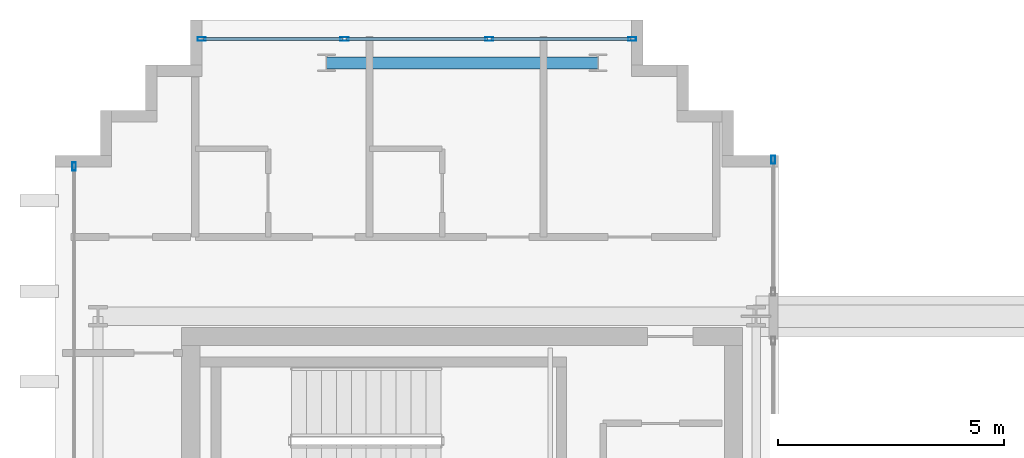
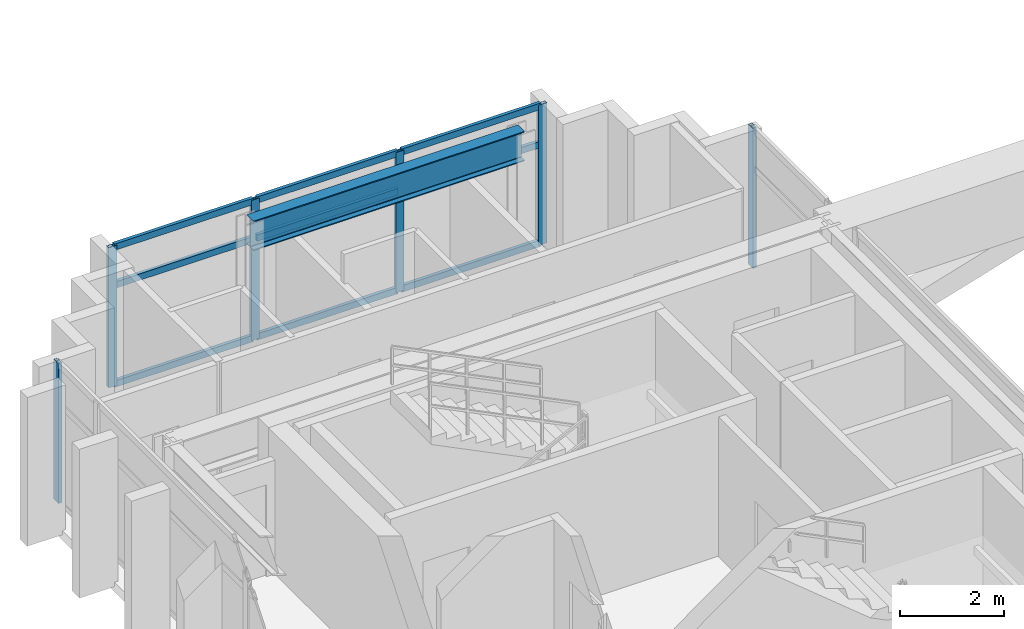
# One storey, part 19 of 28: 15 members, 1 beam, 3 elements without a shape of their own.
"""IFC4 building model written with IfcOpenShell, lengths in metres."""

from ifc_helpers import new_model, si_unit, direction, frame, origin, origin_2d, place, context, subcontext, project, spatial, hollow_rectangle, i_section, extrude, source, transform, mapped, material, layer, layer_set, material_profile, profile_set, type_object, element, aggregate, save


model = new_model("IFC4")

# Units and contexts
model_context = context("Model", 3, precision=1e-05, world=origin(), true_north=direction((0.0, 1.0)))
body_context = subcontext(model_context, "Body", "Model", "MODEL_VIEW")
ifc_project = project(units=[si_unit("LENGTHUNIT", "METRE"), si_unit("AREAUNIT", "SQUARE_METRE"), si_unit("VOLUMEUNIT", "CUBIC_METRE"), si_unit("PLANEANGLEUNIT", "RADIAN"), si_unit("MASSUNIT", "GRAM", prefix="KILO")], contexts=[model_context])

# Site, building, storey
site_placement = place(None, origin())
site = spatial("IfcSite", under=ifc_project, at=site_placement, CompositionType="ELEMENT")
building_placement = place(site_placement, origin())
building = spatial("IfcBuilding", under=site, at=building_placement, Name="Ocotamira Hotel", CompositionType="ELEMENT")
storey_placement = place(building_placement, frame((0.0, 0.0, 268.800048828125)))
storey = spatial("IfcBuildingStorey", under=building, at=storey_placement, Name="L68", CompositionType="ELEMENT", Elevation=268.800048828125)

# Beam
ifc_material_1 = material(Name="Steel ASTM A992 Grade 50", Category="steel")
ifc_material_profile_1 = material_profile(ifc_material_1, i_section(OverallWidth=0.256103515625, OverallDepth=0.693115234375, WebThickness=0.014404296875, FlangeThickness=0.023681640625, FilletRadius=0.01611328125, at=origin_2d()), Name="W27X114")
ifc_profile_set_1 = profile_set([ifc_material_profile_1], Name="Steel ASTM A992 Grade 50")
beam_type = type_object("IfcBeamType", Name="BM-PRIM-W27X114", PredefinedType="BEAM", material=ifc_profile_set_1)
shared_shape_1 = source(origin(), body_context, "Body", "SweptSolid", [
    extrude(i_section(OverallWidth=0.256103515625, OverallDepth=0.693115234375, WebThickness=0.014404296875, FlangeThickness=0.023681640625, FilletRadius=0.01611328125, at=origin_2d()), origin(), (0.0, 0.0, 1.0), 6.0),
])
beam_placement = place(storey_placement, frame((14.0, 43.050048828125, 2.933349609375), z_axis=(1.0, 0.0, 0.0), x_axis=(0.0, 1.0, 0.0)))
element("IfcBeam", 1, at=beam_placement, inside=storey, type_object=beam_type, Name="L68 Girder Y43.05 X14-20", PredefinedType="BEAM", context=body_context, shape_type="MappedRepresentation", body=[
    mapped(shared_shape_1, transform((0.0, 0.0, 0.0), scale=1.0)),
])

# Curtain wall, members
ifc_material_2 = material(Name="Anodised pale-metal aluminium and solar glass", Category="aluminium")
ifc_layer = layer(ifc_material_2, 0.2099609375)
ifc_layer_set = layer_set([ifc_layer], Name="Anodised pale-metal aluminium and solar glass")
curtain_wall_type = type_object("IfcCurtainWallType", Name="CW-SYS7-PEAK", PredefinedType="NOTDEFINED", material=ifc_layer_set)
curtain_wall_1_placement = place(storey_placement, origin())
curtain_wall_1 = element("IfcCurtainWall", 2, at=curtain_wall_1_placement, inside=storey, type_object=curtain_wall_type, Name="L68 Curtain Wall CW-7 CW-L68-WN", PredefinedType="NOTDEFINED")
ifc_material_3 = material(Name="Anodised pale-metal aluminium 6063-T6", Category="aluminium")
ifc_material_profile_2 = material_profile(ifc_material_3, hollow_rectangle(XDim=0.080078125, YDim=0.179931640625, WallThickness=0.006103515625, at=origin_2d()), Name="HSS180X80X6")
ifc_profile_set_2 = profile_set([ifc_material_profile_2], Name="Anodised pale-metal aluminium 6063-T6")
member_type_1 = type_object("IfcMemberType", Name="CWM-180X75", PredefinedType="MULLION", material=ifc_profile_set_2)
shared_shape_2 = source(origin(), body_context, "Body", "SweptSolid", [
    extrude(hollow_rectangle(XDim=0.080078125, YDim=0.179931640625, WallThickness=0.006103515625, at=origin_2d()), origin(), (0.0, 0.0, 1.0), 3.280029296875),
])
member_1_placement = place(storey_placement, frame((11.239990234375, 43.580078125, 0.0), z_axis=(0.0, 0.0, 1.0), x_axis=(0.0, 1.0, 0.0)))
member_1 = element("IfcMember", 3, at=member_1_placement, type_object=member_type_1, Name="CW-7 mullion 1", PredefinedType="MULLION", context=body_context, shape_type="MappedRepresentation", body=[
    mapped(shared_shape_2, transform((0.0, 0.0, 0.0), scale=1.0)),
])
member_2_placement = place(storey_placement, frame((14.39990234375, 43.580078125, 0.0), z_axis=(0.0, 0.0, 1.0), x_axis=(0.0, 1.0, 0.0)))
member_2 = element("IfcMember", 4, at=member_2_placement, type_object=member_type_1, Name="CW-7 mullion 2", PredefinedType="MULLION", context=body_context, shape_type="MappedRepresentation", body=[
    mapped(shared_shape_2, transform((0.0, 0.0, 0.0), scale=1.0)),
])
member_3_placement = place(storey_placement, frame((17.60009765625, 43.580078125, 0.0), z_axis=(0.0, 0.0, 1.0), x_axis=(0.0, 1.0, 0.0)))
member_3 = element("IfcMember", 5, at=member_3_placement, type_object=member_type_1, Name="CW-7 mullion 3", PredefinedType="MULLION", context=body_context, shape_type="MappedRepresentation", body=[
    mapped(shared_shape_2, transform((0.0, 0.0, 0.0), scale=1.0)),
])
member_4_placement = place(storey_placement, frame((20.760009765625, 43.580078125, 0.0), z_axis=(0.0, 0.0, 1.0), x_axis=(0.0, 1.0, 0.0)))
member_4 = element("IfcMember", 6, at=member_4_placement, type_object=member_type_1, Name="CW-7 mullion 4", PredefinedType="MULLION", context=body_context, shape_type="MappedRepresentation", body=[
    mapped(shared_shape_2, transform((0.0, 0.0, 0.0), scale=1.0)),
])

# Curtain wall, member
curtain_wall_2_placement = place(storey_placement, origin())
curtain_wall_2 = element("IfcCurtainWall", 7, at=curtain_wall_2_placement, inside=storey, type_object=curtain_wall_type, Name="L68 Curtain Wall CW-7 CW-L68-WO2", PredefinedType="NOTDEFINED")
member_5_placement = place(storey_placement, frame((8.419921875, 40.760009765625, 0.0), z_axis=(0.0, 0.0, 1.0), x_axis=(-1.0, 0.0, 0.0)))
member_5 = element("IfcMember", 8, at=member_5_placement, type_object=member_type_1, Name="CW-7 mullion 3", PredefinedType="MULLION", context=body_context, shape_type="MappedRepresentation", body=[
    mapped(shared_shape_2, transform((0.0, 0.0, 0.0), scale=1.0)),
])
aggregate(curtain_wall_2, [member_5])

curtain_wall_3_placement = place(storey_placement, origin())
curtain_wall_3 = element("IfcCurtainWall", 9, at=curtain_wall_3_placement, inside=storey, type_object=curtain_wall_type, Name="L68 Curtain Wall CW-7 CW-L68-WI4", PredefinedType="NOTDEFINED")
member_6_placement = place(storey_placement, frame((23.8798828125, 40.909912109375, 0.0), z_axis=(0.0, 0.0, 1.0), x_axis=(-1.0, 0.0, 0.0)))
member_6 = element("IfcMember", 10, at=member_6_placement, type_object=member_type_1, Name="CW-7 mullion 2", PredefinedType="MULLION", context=body_context, shape_type="MappedRepresentation", body=[
    mapped(shared_shape_2, transform((0.0, 0.0, 0.0), scale=1.0)),
])
aggregate(curtain_wall_3, [member_6])

# Member
ifc_material_profile_3 = material_profile(ifc_material_3, hollow_rectangle(XDim=0.074951171875, YDim=0.14990234375, WallThickness=0.006103515625, at=origin_2d()), Name="HSS150X75X6")
ifc_profile_set_3 = profile_set([ifc_material_profile_3], Name="Anodised pale-metal aluminium 6063-T6")
member_type_2 = type_object("IfcMemberType", Name="CWT-150X75", PredefinedType="USERDEFINED", material=ifc_profile_set_3)
shared_shape_3 = source(origin(), body_context, "Body", "SweptSolid", [
    extrude(hollow_rectangle(XDim=0.074951171875, YDim=0.14990234375, WallThickness=0.006103515625, at=origin_2d()), origin(), (0.0, 0.0, 1.0), 3.080078125),
])
member_7_placement = place(storey_placement, frame((11.280029296875, 43.580078125, 0.037353515625), z_axis=(1.0, 0.0, 0.0), x_axis=(0.0, 1.0, 0.0)))
member_7 = element("IfcMember", 11, at=member_7_placement, type_object=member_type_2, Name="CW-7 transom 1.1", ObjectType="TRANSOM", PredefinedType="USERDEFINED", context=body_context, shape_type="MappedRepresentation", body=[
    mapped(shared_shape_3, transform((0.0, 0.0, 0.0), scale=1.0)),
])

member_8_placement = place(storey_placement, frame((11.280029296875, 43.580078125, 2.349853515625), z_axis=(1.0, 0.0, 0.0), x_axis=(0.0, 1.0, 0.0)))
member_8 = element("IfcMember", 12, at=member_8_placement, type_object=member_type_2, Name="CW-7 transom 1.2", ObjectType="TRANSOM", PredefinedType="USERDEFINED", context=body_context, shape_type="MappedRepresentation", body=[
    mapped(shared_shape_3, transform((0.0, 0.0, 0.0), scale=1.0)),
])

member_9_placement = place(storey_placement, frame((11.280029296875, 43.580078125, 3.242431640625), z_axis=(1.0, 0.0, 0.0), x_axis=(0.0, 1.0, 0.0)))
member_9 = element("IfcMember", 13, at=member_9_placement, type_object=member_type_2, Name="CW-7 transom 1.3", ObjectType="TRANSOM", PredefinedType="USERDEFINED", context=body_context, shape_type="MappedRepresentation", body=[
    mapped(shared_shape_3, transform((0.0, 0.0, 0.0), scale=1.0)),
])

member_10_placement = place(storey_placement, frame((17.639892578125, 43.580078125, 0.037353515625), z_axis=(1.0, 0.0, 0.0), x_axis=(0.0, 1.0, 0.0)))
member_10 = element("IfcMember", 14, at=member_10_placement, type_object=member_type_2, Name="CW-7 transom 3.1", ObjectType="TRANSOM", PredefinedType="USERDEFINED", context=body_context, shape_type="MappedRepresentation", body=[
    mapped(shared_shape_3, transform((0.0, 0.0, 0.0), scale=1.0)),
])

member_11_placement = place(storey_placement, frame((17.639892578125, 43.580078125, 2.349853515625), z_axis=(1.0, 0.0, 0.0), x_axis=(0.0, 1.0, 0.0)))
member_11 = element("IfcMember", 15, at=member_11_placement, type_object=member_type_2, Name="CW-7 transom 3.2", ObjectType="TRANSOM", PredefinedType="USERDEFINED", context=body_context, shape_type="MappedRepresentation", body=[
    mapped(shared_shape_3, transform((0.0, 0.0, 0.0), scale=1.0)),
])

member_12_placement = place(storey_placement, frame((17.639892578125, 43.580078125, 3.242431640625), z_axis=(1.0, 0.0, 0.0), x_axis=(0.0, 1.0, 0.0)))
member_12 = element("IfcMember", 16, at=member_12_placement, type_object=member_type_2, Name="CW-7 transom 3.3", ObjectType="TRANSOM", PredefinedType="USERDEFINED", context=body_context, shape_type="MappedRepresentation", body=[
    mapped(shared_shape_3, transform((0.0, 0.0, 0.0), scale=1.0)),
])

shared_shape_4 = source(origin(), body_context, "Body", "SweptSolid", [
    extrude(hollow_rectangle(XDim=0.074951171875, YDim=0.14990234375, WallThickness=0.006103515625, at=origin_2d()), origin(), (0.0, 0.0, 1.0), 3.1201171875),
])
member_13_placement = place(storey_placement, frame((14.43994140625, 43.580078125, 0.037353515625), z_axis=(1.0, 0.0, 0.0), x_axis=(0.0, 1.0, 0.0)))
member_13 = element("IfcMember", 17, at=member_13_placement, type_object=member_type_2, Name="CW-7 transom 2.1", ObjectType="TRANSOM", PredefinedType="USERDEFINED", context=body_context, shape_type="MappedRepresentation", body=[
    mapped(shared_shape_4, transform((0.0, 0.0, 0.0), scale=1.0)),
])

member_14_placement = place(storey_placement, frame((14.43994140625, 43.580078125, 2.349853515625), z_axis=(1.0, 0.0, 0.0), x_axis=(0.0, 1.0, 0.0)))
member_14 = element("IfcMember", 18, at=member_14_placement, type_object=member_type_2, Name="CW-7 transom 2.2", ObjectType="TRANSOM", PredefinedType="USERDEFINED", context=body_context, shape_type="MappedRepresentation", body=[
    mapped(shared_shape_4, transform((0.0, 0.0, 0.0), scale=1.0)),
])

member_15_placement = place(storey_placement, frame((14.43994140625, 43.580078125, 3.242431640625), z_axis=(1.0, 0.0, 0.0), x_axis=(0.0, 1.0, 0.0)))
member_15 = element("IfcMember", 19, at=member_15_placement, type_object=member_type_2, Name="CW-7 transom 2.3", ObjectType="TRANSOM", PredefinedType="USERDEFINED", context=body_context, shape_type="MappedRepresentation", body=[
    mapped(shared_shape_4, transform((0.0, 0.0, 0.0), scale=1.0)),
])

aggregate(curtain_wall_1, [member_1, member_2, member_3, member_4, member_7, member_8, member_9, member_13, member_14, member_15, member_10, member_11, member_12])

save(model, "model.ifc")
